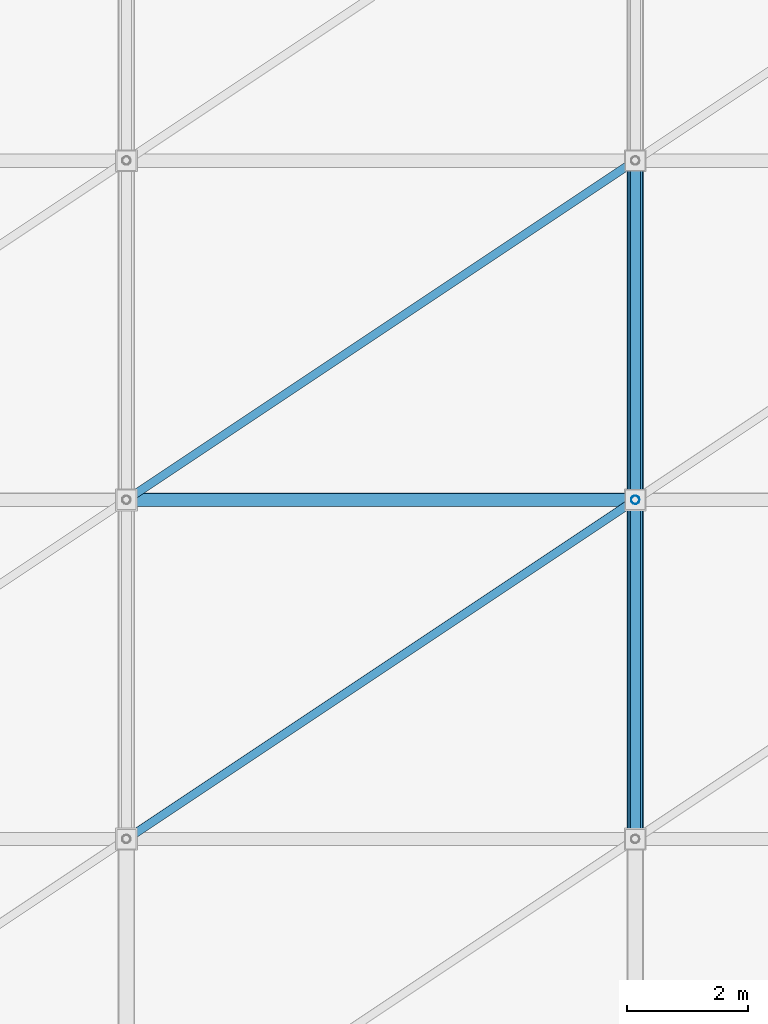
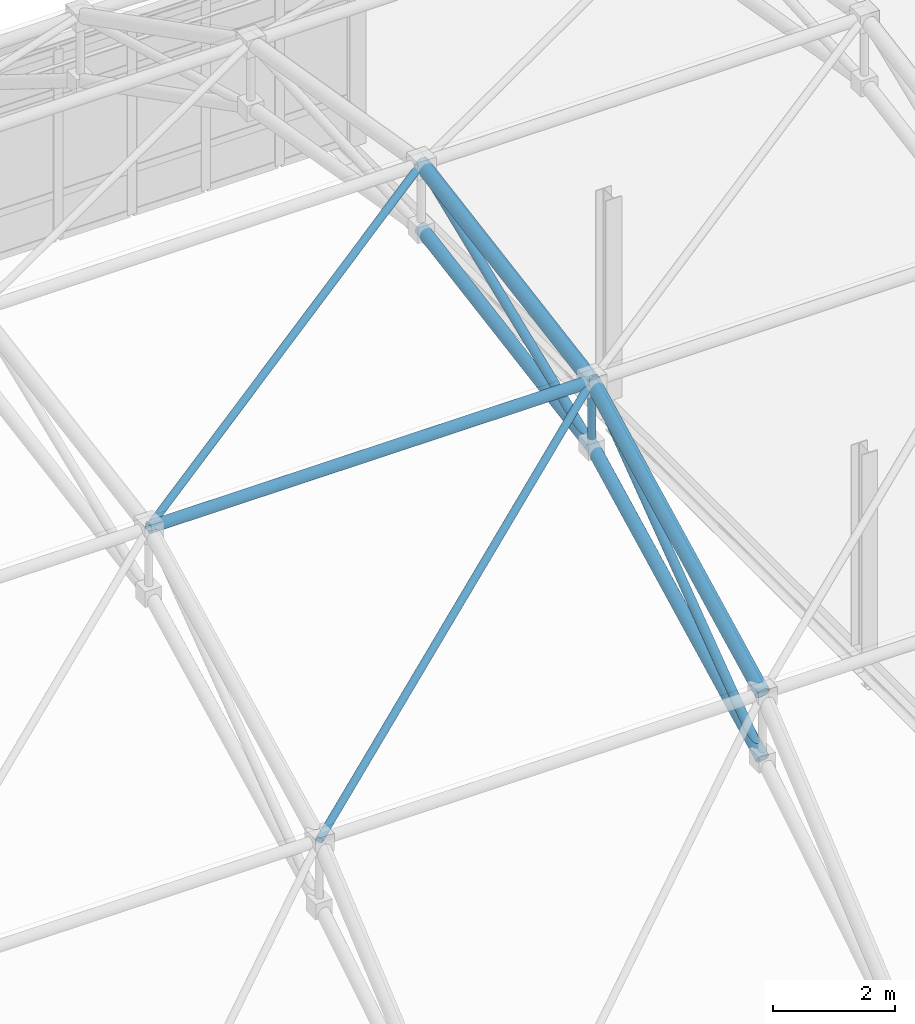
# One storey, part 82 of 184: 10 members.
"""IFC4 building model written with IfcOpenShell, lengths in metres."""

from ifc_helpers import new_model, si_unit, direction, frame, origin, origin_2d, place, context, subcontext, project, spatial, hollow_circle, extrude, material, material_profile, profile_set, type_object, element, save


model = new_model("IFC4")

# Units and contexts
model_context = context("Model", 3, precision=1e-05, world=origin(), true_north=direction((0.0, 1.0)))
body_context = subcontext(model_context, "Body", "Model", "MODEL_VIEW")
ifc_project = project(units=[si_unit("LENGTHUNIT", "METRE"), si_unit("AREAUNIT", "SQUARE_METRE"), si_unit("VOLUMEUNIT", "CUBIC_METRE"), si_unit("PLANEANGLEUNIT", "RADIAN"), si_unit("MASSUNIT", "GRAM", prefix="KILO")], contexts=[model_context])

# Site, building, storey
site_placement = place(None, origin())
site = spatial("IfcSite", under=ifc_project, at=site_placement, CompositionType="ELEMENT")
building_placement = place(site_placement, origin())
building = spatial("IfcBuilding", under=site, at=building_placement, Name="Qalvenar Corner Mobility Hub", CompositionType="ELEMENT")
storey_placement = place(building_placement, frame((0.0, 0.0, 9.0)))
storey = spatial("IfcBuildingStorey", under=building, at=storey_placement, Name="L02", CompositionType="ELEMENT", Elevation=9.0)

# Members
ifc_material = material(Name="Steel S355", Category="steel")
ifc_material_profile_1 = material_profile(ifc_material, hollow_circle(Radius=0.109619140625, WallThickness=0.008056640625, at=origin_2d()), Name="CHS219.1x8")
ifc_profile_set_1 = profile_set([ifc_material_profile_1], Name="Steel S355")
member_type_1 = type_object("IfcMemberType", Name="SF-CHD219", PredefinedType="CHORD", material=ifc_profile_set_1)
member_1_placement = place(storey_placement, frame((92.39990234375, 11.199951171875, 11.704345703125), z_axis=(1.0, 0.0, 0.0), x_axis=(0.0, 1.0, 0.0)))
element("IfcMember", 1, at=member_1_placement, inside=storey, type_object=member_type_1, Name="Space Frame Longitudinal Chord SFL-0225", PredefinedType="CHORD", context=body_context, shape_type="SweptSolid", body=[
    extrude(hollow_circle(Radius=0.109619140625, WallThickness=0.008056640625, at=origin_2d()), origin(), (0.0, 0.0, 1.0), 8.400146484375),
])
ifc_material_profile_2 = material_profile(ifc_material, hollow_circle(Radius=0.122314453125, WallThickness=0.0087890625, at=origin_2d()), Name="CHS244.5x8.8")
ifc_profile_set_2 = profile_set([ifc_material_profile_2], Name="Steel S355")
member_type_2 = type_object("IfcMemberType", Name="SF-CHD244", PredefinedType="CHORD", material=ifc_profile_set_2)
member_2_placement = place(storey_placement, frame((100.800048828125, 5.60009765625, 7.537841796875), z_axis=(0.0, 0.890157020212, 0.455653903052), x_axis=(-1.0, 0.0, 0.0)))
element("IfcMember", 2, at=member_2_placement, inside=storey, type_object=member_type_2, Name="Space Frame Bottom Chord SFBC-0130", PredefinedType="CHORD", context=body_context, shape_type="SweptSolid", body=[
    extrude(hollow_circle(Radius=0.122314453125, WallThickness=0.0087890625, at=origin_2d()), origin(), (0.0, 0.0, 1.0), 6.290771484375),
])
member_3_placement = place(storey_placement, frame((100.800048828125, 11.199951171875, 10.404296875), z_axis=(0.0, 0.985745292256, 0.168244520847), x_axis=(-1.0, 0.0, 0.0)))
element("IfcMember", 3, at=member_3_placement, inside=storey, type_object=member_type_2, Name="Space Frame Bottom Chord SFBC-0133", PredefinedType="CHORD", context=body_context, shape_type="SweptSolid", body=[
    extrude(hollow_circle(Radius=0.122314453125, WallThickness=0.0087890625, at=origin_2d()), origin(), (0.0, 0.0, 1.0), 5.68115234375),
])
ifc_material_profile_3 = material_profile(ifc_material, hollow_circle(Radius=0.136474609375, WallThickness=0.010009765625, at=origin_2d()), Name="CHS273x10")
ifc_profile_set_3 = profile_set([ifc_material_profile_3], Name="Steel S355")
member_type_3 = type_object("IfcMemberType", Name="SF-CHD273", PredefinedType="CHORD", material=ifc_profile_set_3)
member_4_placement = place(storey_placement, frame((100.800048828125, 5.60009765625, 8.837890625), z_axis=(0.0, 0.890157020212, 0.455653903052), x_axis=(-1.0, 0.0, 0.0)))
element("IfcMember", 4, at=member_4_placement, inside=storey, type_object=member_type_3, Name="Space Frame Top Chord SFTC-0129", PredefinedType="CHORD", context=body_context, shape_type="SweptSolid", body=[
    extrude(hollow_circle(Radius=0.136474609375, WallThickness=0.010009765625, at=origin_2d()), origin(), (0.0, 0.0, 1.0), 6.290771484375),
])
member_5_placement = place(storey_placement, frame((100.800048828125, 11.199951171875, 11.704345703125), z_axis=(0.0, 0.985752418555, 0.1682027625), x_axis=(-1.0, 0.0, 0.0)))
element("IfcMember", 5, at=member_5_placement, inside=storey, type_object=member_type_3, Name="Space Frame Top Chord SFTC-0132", PredefinedType="CHORD", context=body_context, shape_type="SweptSolid", body=[
    extrude(hollow_circle(Radius=0.136474609375, WallThickness=0.010009765625, at=origin_2d()), origin(), (0.0, 0.0, 1.0), 5.68115234375),
])
ifc_material_profile_4 = material_profile(ifc_material, hollow_circle(Radius=0.06982421875, WallThickness=0.0048828125, at=origin_2d()), Name="CHS139.7x5")
ifc_profile_set_4 = profile_set([ifc_material_profile_4], Name="Steel S355")
member_type_4 = type_object("IfcMemberType", Name="SF-STR139", PredefinedType="STRUT", material=ifc_profile_set_4)
member_6_placement = place(storey_placement, frame((100.800048828125, 11.199951171875, 10.404296875), z_axis=(0.0, 0.0, 1.0), x_axis=(1.0, 0.0, 0.0)))
element("IfcMember", 6, at=member_6_placement, inside=storey, type_object=member_type_4, Name="Space Frame King Strut SFV-0144", PredefinedType="STRUT", context=body_context, shape_type="SweptSolid", body=[
    extrude(hollow_circle(Radius=0.06982421875, WallThickness=0.0048828125, at=origin_2d()), origin(), (0.0, 0.0, 1.0), 1.300048828125),
])
member_7_placement = place(storey_placement, frame((92.39990234375, 5.60009765625, 8.837890625), z_axis=(0.800422851542, 0.533591970989, 0.273135254453), x_axis=(-0.554683454097, 0.832061455513, 0.0)))
element("IfcMember", 7, at=member_7_placement, inside=storey, type_object=member_type_4, Name="Space Frame Plan Strut SFP-0230", PredefinedType="STRUT", context=body_context, shape_type="SweptSolid", body=[
    extrude(hollow_circle(Radius=0.06982421875, WallThickness=0.0048828125, at=origin_2d()), origin(), (0.0, 0.0, 1.0), 10.49462890625),
])
member_8_placement = place(storey_placement, frame((92.39990234375, 11.199951171875, 11.704345703125), z_axis=(0.828348087902, 0.552232058601, 0.094229500277), x_axis=(-0.554700196225, 0.832050294338, 0.0)))
element("IfcMember", 8, at=member_8_placement, inside=storey, type_object=member_type_4, Name="Space Frame Plan Strut SFP-0231", PredefinedType="STRUT", context=body_context, shape_type="SweptSolid", body=[
    extrude(hollow_circle(Radius=0.06982421875, WallThickness=0.0048828125, at=origin_2d()), origin(), (0.0, 0.0, 1.0), 10.140869140625),
])
ifc_material_profile_5 = material_profile(ifc_material, hollow_circle(Radius=0.084228515625, WallThickness=0.00634765625, at=origin_2d()), Name="CHS168.3x6.3")
ifc_profile_set_5 = profile_set([ifc_material_profile_5], Name="Steel S355")
member_type_5 = type_object("IfcMemberType", Name="SF-STR168", PredefinedType="STRUT", material=ifc_profile_set_5)
member_9_placement = place(storey_placement, frame((100.800048828125, 5.60009765625, 7.537841796875), z_axis=(0.0, 0.802290097952, 0.596934333682), x_axis=(-1.0, 0.0, 0.0)))
element("IfcMember", 9, at=member_9_placement, inside=storey, type_object=member_type_5, Name="Space Frame Web Strut SFD-0131", PredefinedType="STRUT", context=body_context, shape_type="SweptSolid", body=[
    extrude(hollow_circle(Radius=0.084228515625, WallThickness=0.00634765625, at=origin_2d()), origin(), (0.0, 0.0, 1.0), 6.979736328125),
])
member_10_placement = place(storey_placement, frame((100.800048828125, 11.199951171875, 10.404296875), z_axis=(0.0, 0.927584374155, 0.37361374282), x_axis=(-1.0, 0.0, 0.0)))
element("IfcMember", 10, at=member_10_placement, inside=storey, type_object=member_type_5, Name="Space Frame Web Strut SFD-0134", PredefinedType="STRUT", context=body_context, shape_type="SweptSolid", body=[
    extrude(hollow_circle(Radius=0.084228515625, WallThickness=0.00634765625, at=origin_2d()), origin(), (0.0, 0.0, 1.0), 6.037353515625),
])

save(model, "model.ifc")
